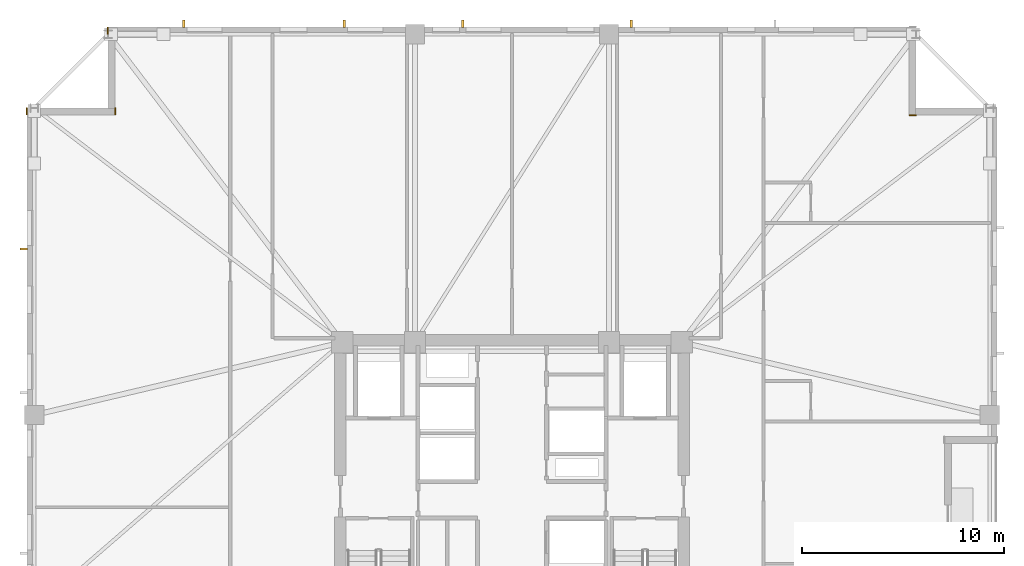
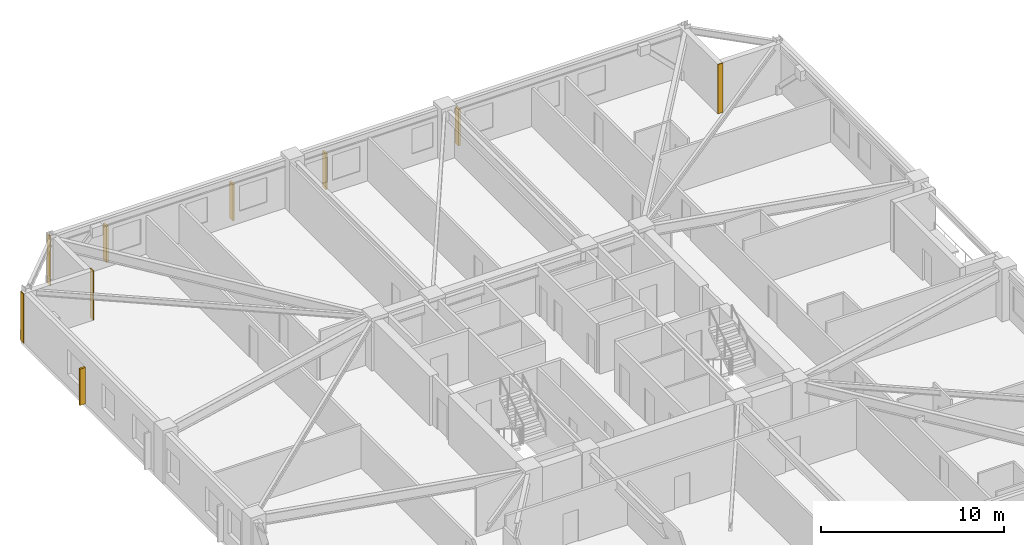
# One storey, part 9 of 10: 5 shading devices, 4 coverings.
"""IFC4 building model written with IfcOpenShell, lengths in metres."""

from ifc_helpers import new_model, si_unit, direction, frame, frame_2d, origin, origin_2d, place, context, subcontext, project, spatial, rectangle, extrude, material, layer, layer_set, type_object, element, save


model = new_model("IFC4")

# Units and contexts
model_context = context("Model", 3, precision=1e-05, world=origin(), true_north=direction((0.0, 1.0)))
body_context = subcontext(model_context, "Body", "Model", "MODEL_VIEW")
ifc_project = project(units=[si_unit("LENGTHUNIT", "METRE"), si_unit("AREAUNIT", "SQUARE_METRE"), si_unit("VOLUMEUNIT", "CUBIC_METRE"), si_unit("PLANEANGLEUNIT", "RADIAN"), si_unit("MASSUNIT", "GRAM", prefix="KILO")], contexts=[model_context])

# Site, building, storey
site_placement = place(None, origin())
site = spatial("IfcSite", under=ifc_project, at=site_placement, CompositionType="ELEMENT")
building_placement = place(site_placement, origin())
building = spatial("IfcBuilding", under=site, at=building_placement, Name="Cairnveth Concourse Tower", CompositionType="ELEMENT")
storey_placement = place(building_placement, frame((0.0, 0.0, 186.5)))
storey = spatial("IfcBuildingStorey", under=building, at=storey_placement, Name="L51", CompositionType="ELEMENT", Elevation=186.5)

# Coverings
ifc_material_1 = material(Name="Dressed Melbourne Bluestone Cladding", Category="masonry")
ifc_layer = layer(ifc_material_1, 0.050048828125)
ifc_layer_set = layer_set([ifc_layer], Name="Dressed Melbourne Bluestone Cladding")
covering_type = type_object("IfcCoveringType", Name="DRESSED BLUESTONE PLINTH CLADDING 50", PredefinedType="CLADDING", material=ifc_layer_set)
for number, where, z_axis, x_axis, name in (
    (1, (27.97998046875, 58.659912109375, 0.0), (0.0, 0.0, 1.0), (0.0, 1.0, 0.0), "Melbourne Bluestone Corner Quoin L51-762"),
    (2, (32.360107421875, 58.659912109375, 0.0), (0.0, 0.0, 1.0), (0.0, 1.0, 0.0), "Melbourne Bluestone Corner Quoin L51-763"),
    (3, (31.97998046875, 62.659912109375, 0.0), (0.0, 0.0, 1.0), (0.0, 1.0, 0.0), "Melbourne Bluestone Corner Quoin L51-764"),
    (4, (71.659912109375, 58.639892578125, 0.0), (0.0, 0.0, 1.0), (1.0, 0.0, 0.0), "Melbourne Bluestone Corner Quoin L51-766"),
):
    element("IfcCovering", number, at=place(storey_placement, frame(where, z_axis=z_axis, x_axis=x_axis)), inside=storey, type_object=covering_type, Name=name, PredefinedType="CLADDING", context=body_context, shape_type="SweptSolid", body=[
        extrude(rectangle(XDim=0.340087890625, YDim=0.050048828125, at=frame_2d((0.169921875, 0.0))), origin(), (0.0, 0.0, 1.0), 3.280029296875),
    ])

# Shading devices
ifc_material_2 = material(Name="Architectural Bronze Anodised Aluminium 6063-T6", Category="aluminium")
shading_device_type = type_object("IfcShadingDeviceType", Name="GOTHIC BRONZE VERTICAL LANCET FIN", PredefinedType="USERDEFINED", material=ifc_material_2)
for number, where, z_axis, x_axis, name in (
    (5, (27.824951171875, 52.020263671875, 0.030029296875), (0.0, 0.0, 1.0), (0.0, 1.0, 0.0), "Gothic Bronze Vertical Fin L51-6-9"),
    (6, (35.74169921875, 63.175048828125, 0.030029296875), (0.0, 0.0, 1.0), (1.0, 0.0, 0.0), "Gothic Bronze Vertical Fin L51-9-1"),
    (7, (43.698974609375, 63.175048828125, 0.030029296875), (0.0, 0.0, 1.0), (1.0, 0.0, 0.0), "Gothic Bronze Vertical Fin L51-9-3"),
    (8, (49.555908203125, 63.175048828125, 0.030029296875), (0.0, 0.0, 1.0), (1.0, 0.0, 0.0), "Gothic Bronze Vertical Fin L51-9-5"),
    (9, (57.9130859375, 63.175048828125, 0.030029296875), (0.0, 0.0, 1.0), (1.0, 0.0, 0.0), "Gothic Bronze Vertical Fin L51-9-7"),
):
    element("IfcShadingDevice", number, at=place(storey_placement, frame(where, z_axis=z_axis, x_axis=x_axis)), inside=storey, type_object=shading_device_type, Name=name, ObjectType="VERTICAL FIN", PredefinedType="USERDEFINED", context=body_context, shape_type="SweptSolid", body=[
        extrude(rectangle(XDim=0.1201171875, YDim=0.360107421875, at=origin_2d()), origin(), (0.0, 0.0, 1.0), 2.419921875),
    ])

save(model, "model.ifc")
